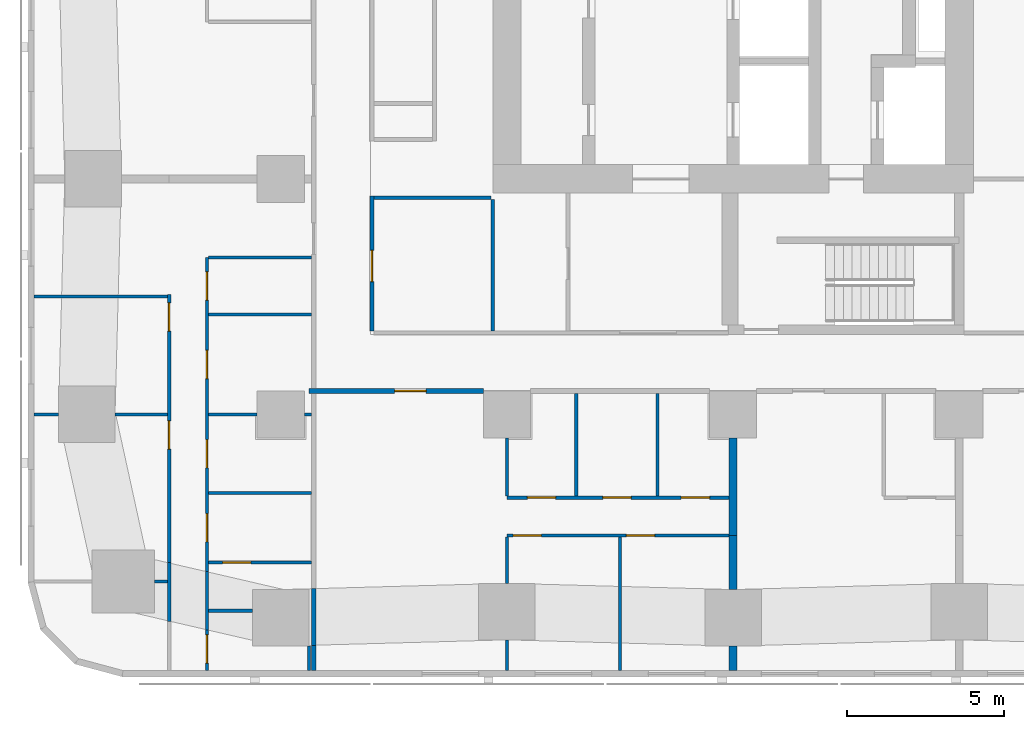
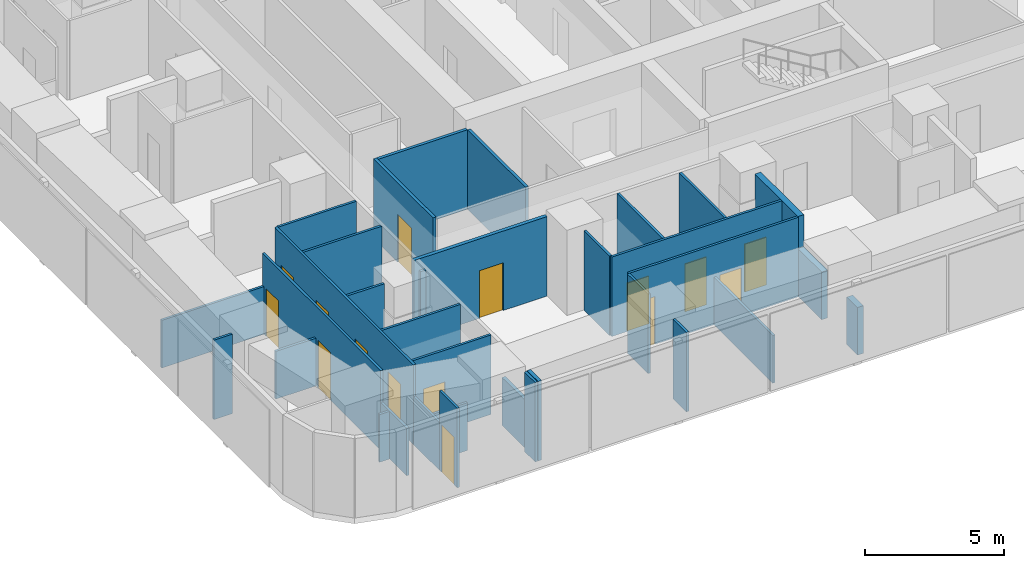
# One storey, part 2 of 15: 34 walls, 15 doors, 15 openings.
"""IFC4 building model written with IfcOpenShell, lengths in metres."""

from ifc_helpers import new_model, si_unit, direction, frame, frame_2d, origin, place, context, subcontext, project, spatial, rectangle, extrude, material, layer, layer_set, type_object, element, fill, save


model = new_model("IFC4")

# Units and contexts
model_context = context("Model", 3, precision=1e-05, world=origin(), true_north=direction((0.0, 1.0)))
body_context = subcontext(model_context, "Body", "Model", "MODEL_VIEW")
ifc_project = project(units=[si_unit("LENGTHUNIT", "METRE"), si_unit("AREAUNIT", "SQUARE_METRE"), si_unit("VOLUMEUNIT", "CUBIC_METRE"), si_unit("PLANEANGLEUNIT", "RADIAN"), si_unit("MASSUNIT", "GRAM", prefix="KILO")], contexts=[model_context])

# Site, building, storey
site_placement = place(None, origin())
site = spatial("IfcSite", under=ifc_project, at=site_placement, CompositionType="ELEMENT")
building_placement = place(site_placement, origin())
building = spatial("IfcBuilding", under=site, at=building_placement, Name="Sheger Commons Tower", CompositionType="ELEMENT")
storey_placement = place(building_placement, frame((0.0, 0.0, 169.550048828125)))
storey = spatial("IfcBuildingStorey", under=building, at=storey_placement, Name="L43", CompositionType="ELEMENT", Elevation=169.550048828125)

# Walls
ifc_material_1 = material(Name="Hollow concrete block masonry, skimmed both sides", Category="masonry")
ifc_layer_1 = layer(ifc_material_1, 0.14990234375)
ifc_layer_set_1 = layer_set([ifc_layer_1], Name="CORRIDOR WALL 150")
wall_type_1 = type_object("IfcWallType", Name="CORRIDOR WALL 150", PredefinedType="SOLIDWALL", material=ifc_layer_set_1)
wall_1_placement = place(storey_placement, frame((8.25, -0.64990234375, 0.0), z_axis=(0.0, 0.0, 1.0), x_axis=(0.0, 1.0, 0.0)))
element("IfcWall", 1, at=wall_1_placement, inside=storey, type_object=wall_type_1, Name="Corridor wall L43", PredefinedType="SOLIDWALL", context=body_context, shape_type="SweptSolid", body=[
    extrude(rectangle(XDim=0.802001953125, YDim=0.14990234375, at=frame_2d((0.40087890625, 0.0))), origin(), (0.0, 0.0, 1.0), 3.5),
])
wall_2_placement = place(storey_placement, frame((8.25, 0.152099609375, 0.0), z_axis=(0.0, 0.0, 1.0), x_axis=(0.0, 1.0, 0.0)))
element("IfcWall", 2, at=wall_2_placement, inside=storey, type_object=wall_type_1, Name="Corridor wall L43", PredefinedType="SOLIDWALL", context=body_context, shape_type="SweptSolid", body=[
    extrude(rectangle(XDim=1.804931640625, YDim=0.14990234375, at=frame_2d((0.90234375, 0.0))), origin(), (0.0, 0.0, 1.0), 2.099853515625),
])

# Wall, opening, door
wall_3_placement = place(storey_placement, frame((13.64892578125, 8.25, 0.0), z_axis=(0.0, 0.0, 1.0), x_axis=(-1.0, 0.0, 0.0)))
wall_3 = element("IfcWall", 3, at=wall_3_placement, inside=storey, type_object=wall_type_1, Name="Corridor wall L43", PredefinedType="SOLIDWALL", context=body_context, shape_type="SweptSolid", body=[
    extrude(rectangle(XDim=5.548828125, YDim=0.14990234375, at=frame_2d((2.7744140625, 0.0))), origin(), (0.0, 0.0, 1.0), 3.5),
])
opening_1_placement = place(wall_3_placement, frame((1.823974609375, 0.0, 0.0)))
opening_1 = element("IfcOpeningElement", 4, at=opening_1_placement, cuts=wall_3, Name="Opening D1", PredefinedType="OPENING", context=body_context, shape_type="SweptSolid", body=[
    extrude(rectangle(XDim=1.0, YDim=2.10009765625, at=frame_2d((0.5, 1.050048828125))), frame((0.0, 0.0849609375, 0.0), z_axis=(0.0, -1.0, 0.0), x_axis=(1.0, 0.0, 0.0)), (0.0, 0.0, 1.0), 0.169921875),
])
ifc_material_2 = material(Name="Steel door set, fire rated", Category="steel")
door_type_1 = type_object("IfcDoorType", Name="FLAT ENTRANCE DOOR 1000x2100", OperationType="NOTDEFINED", PredefinedType="DOOR", material=ifc_material_2)
door_1_placement = place(opening_1_placement, origin())
door_1 = element("IfcDoor", 5, at=door_1_placement, inside=storey, type_object=door_type_1, Name="Flat entrance door", OperationType="SINGLE_SWING_RIGHT", OverallHeight=2.10009765625, OverallWidth=1.0, PredefinedType="DOOR", context=body_context, shape_type="SweptSolid", body=[
    extrude(rectangle(XDim=1.0, YDim=2.10009765625, at=frame_2d((0.5, 1.050048828125))), frame((0.0, 0.02490234375, 0.0), z_axis=(0.0, -1.0, 0.0), x_axis=(1.0, 0.0, 0.0)), (0.0, 0.0, 1.0), 0.050048828125),
])
fill(opening_1, door_1)

# Walls
ifc_material_3 = material(Name="Dense concrete block masonry, plastered both sides (separating wall between flats)", Category="masonry")
ifc_layer_2 = layer(ifc_material_3, 0.25)
ifc_layer_set_2 = layer_set([ifc_layer_2], Name="DEMISING WALL 250")
wall_type_2 = type_object("IfcWallType", Name="DEMISING WALL 250", PredefinedType="SOLIDWALL", material=ifc_layer_set_2)
wall_4_placement = place(storey_placement, frame((21.60009765625, -0.64990234375, 0.0), z_axis=(0.0, 0.0, 1.0), x_axis=(0.0, 1.0, 0.0)))
element("IfcWall", 6, at=wall_4_placement, inside=storey, type_object=wall_type_2, Name="Demising wall L43", PredefinedType="SOLIDWALL", context=body_context, shape_type="SweptSolid", body=[
    extrude(rectangle(XDim=0.77392578125, YDim=0.25, at=frame_2d((0.386962890625, 0.0))), origin(), (0.0, 0.0, 1.0), 2.099853515625),
])
wall_5_placement = place(storey_placement, frame((21.60009765625, 1.926025390625, 0.0), z_axis=(0.0, 0.0, 1.0), x_axis=(0.0, 1.0, 0.0)))
element("IfcWall", 7, at=wall_5_placement, inside=storey, type_object=wall_type_2, Name="Demising wall L43", PredefinedType="SOLIDWALL", context=body_context, shape_type="SweptSolid", body=[
    extrude(rectangle(XDim=1.723876953125, YDim=0.25, at=frame_2d((0.86181640625, 0.0))), origin(), (0.0, 0.0, 1.0), 2.099853515625),
])
wall_6_placement = place(storey_placement, frame((21.60009765625, 3.64990234375, 0.0), z_axis=(0.0, 0.0, 1.0), x_axis=(0.0, 1.0, 0.0)))
element("IfcWall", 8, at=wall_6_placement, inside=storey, type_object=wall_type_2, Name="Demising wall L43", PredefinedType="SOLIDWALL", context=body_context, shape_type="SweptSolid", body=[
    extrude(rectangle(XDim=3.09912109375, YDim=0.25, at=frame_2d((1.549560546875, 0.0))), origin(), (0.0, 0.0, 1.0), 3.5),
])
ifc_material_4 = material(Name="Gypsum board on steel studs", Category="steel")
ifc_layer_3 = layer(ifc_material_4, 0.10009765625)
ifc_layer_set_3 = layer_set([ifc_layer_3], Name="PARTITION 100")
wall_type_3 = type_object("IfcWallType", Name="PARTITION 100", PredefinedType="PARTITIONING", material=ifc_layer_set_3)
wall_7_placement = place(storey_placement, frame((8.10009765625, 0.1240234375, 0.0), z_axis=(0.0, 0.0, 1.0), x_axis=(0.0, -1.0, 0.0)))
element("IfcWall", 9, at=wall_7_placement, inside=storey, type_object=wall_type_3, Name="Partition L43", PredefinedType="PARTITIONING", context=body_context, shape_type="SweptSolid", body=[
    extrude(rectangle(XDim=0.77392578125, YDim=0.10009765625, at=frame_2d((0.386962890625, 0.0))), origin(), (0.0, 0.0, 1.0), 3.5),
])
wall_8_placement = place(storey_placement, frame((3.64990234375, 0.912109375, 0.0), z_axis=(0.0, 0.0, 1.0), x_axis=(0.0, 1.0, 0.0)))
element("IfcWall", 10, at=wall_8_placement, inside=storey, type_object=wall_type_3, Name="Partition L43", PredefinedType="PARTITIONING", context=body_context, shape_type="SweptSolid", body=[
    extrude(rectangle(XDim=1.869873046875, YDim=0.10009765625, at=frame_2d((0.93505859375, 0.0))), origin(), (0.0, 0.0, 1.0), 2.099853515625),
])

# Wall, openings, doors
wall_9_placement = place(storey_placement, frame((3.64990234375, 2.781982421875, 0.0), z_axis=(0.0, 0.0, 1.0), x_axis=(0.0, 1.0, 0.0)))
wall_9 = element("IfcWall", 11, at=wall_9_placement, inside=storey, type_object=wall_type_3, Name="Partition L43", PredefinedType="PARTITIONING", context=body_context, shape_type="SweptSolid", body=[
    extrude(rectangle(XDim=8.541015625, YDim=0.10009765625, at=frame_2d((4.2705078125, 0.0))), origin(), (0.0, 0.0, 1.0), 3.5),
])
opening_2_placement = place(wall_9_placement, frame((7.367919921875, 0.0, 0.0)))
opening_2 = element("IfcOpeningElement", 12, at=opening_2_placement, cuts=wall_9, Name="Opening D2", PredefinedType="OPENING", context=body_context, shape_type="SweptSolid", body=[
    extrude(rectangle(XDim=0.89990234375, YDim=2.10009765625, at=frame_2d((0.449951171875, 1.050048828125))), frame((0.0, 0.06005859375, 0.0), z_axis=(0.0, -1.0, 0.0), x_axis=(1.0, 0.0, 0.0)), (0.0, 0.0, 1.0), 0.1201171875),
])
opening_3_placement = place(wall_9_placement, frame((3.617919921875, 0.0, 0.0)))
opening_3 = element("IfcOpeningElement", 13, at=opening_3_placement, cuts=wall_9, Name="Opening D2", PredefinedType="OPENING", context=body_context, shape_type="SweptSolid", body=[
    extrude(rectangle(XDim=0.89990234375, YDim=2.10009765625, at=frame_2d((0.449951171875, 1.050048828125))), frame((0.0, 0.06005859375, 0.0), z_axis=(0.0, -1.0, 0.0), x_axis=(1.0, 0.0, 0.0)), (0.0, 0.0, 1.0), 0.1201171875),
])
ifc_material_5 = material(Name="Timber door set", Category="wood")
door_type_2 = type_object("IfcDoorType", Name="INTERNAL DOOR 900x2100", OperationType="NOTDEFINED", PredefinedType="DOOR", material=ifc_material_5)
door_2_placement = place(opening_2_placement, origin())
door_2 = element("IfcDoor", 14, at=door_2_placement, inside=storey, type_object=door_type_2, Name="Main bedroom door", OperationType="SINGLE_SWING_RIGHT", OverallHeight=2.10009765625, OverallWidth=0.89990234375, PredefinedType="DOOR", context=body_context, shape_type="SweptSolid", body=[
    extrude(rectangle(XDim=0.89990234375, YDim=2.10009765625, at=frame_2d((0.449951171875, 1.050048828125))), frame((0.0, 0.02490234375, 0.0), z_axis=(0.0, -1.0, 0.0), x_axis=(1.0, 0.0, 0.0)), (0.0, 0.0, 1.0), 0.050048828125),
])
fill(opening_2, door_2)
door_3_placement = place(opening_3_placement, origin())
door_3 = element("IfcDoor", 15, at=door_3_placement, inside=storey, type_object=door_type_2, Name="Bedroom 2 door", OperationType="SINGLE_SWING_RIGHT", OverallHeight=2.10009765625, OverallWidth=0.89990234375, PredefinedType="DOOR", context=body_context, shape_type="SweptSolid", body=[
    extrude(rectangle(XDim=0.89990234375, YDim=2.10009765625, at=frame_2d((0.449951171875, 1.050048828125))), frame((0.0, 0.02490234375, 0.0), z_axis=(0.0, -1.0, 0.0), x_axis=(1.0, 0.0, 0.0)), (0.0, 0.0, 1.0), 0.050048828125),
])
fill(opening_3, door_3)

# Wall, opening, door
wall_10_placement = place(storey_placement, frame((4.85009765625, -0.64990234375, 0.0), z_axis=(0.0, 0.0, 1.0), x_axis=(0.0, 1.0, 0.0)))
wall_10 = element("IfcWall", 16, at=wall_10_placement, inside=storey, type_object=wall_type_3, Name="Partition L43", PredefinedType="PARTITIONING", context=body_context, shape_type="SweptSolid", body=[
    extrude(rectangle(XDim=1.283935546875, YDim=0.10009765625, at=frame_2d((0.64208984375, 0.0))), origin(), (0.0, 0.0, 1.0), 3.5),
])
opening_4_placement = place(wall_10_placement, frame((0.23388671875, 0.0, 0.0)))
opening_4 = element("IfcOpeningElement", 17, at=opening_4_placement, cuts=wall_10, Name="Opening D2", PredefinedType="OPENING", context=body_context, shape_type="SweptSolid", body=[
    extrude(rectangle(XDim=0.89990234375, YDim=2.10009765625, at=frame_2d((0.449951171875, 1.050048828125))), frame((0.0, 0.06005859375, 0.0), z_axis=(0.0, -1.0, 0.0), x_axis=(1.0, 0.0, 0.0)), (0.0, 0.0, 1.0), 0.1201171875),
])
door_4_placement = place(opening_4_placement, origin())
door_4 = element("IfcDoor", 18, at=door_4_placement, inside=storey, type_object=door_type_2, Name="Store and laundry door", OperationType="SINGLE_SWING_LEFT", OverallHeight=2.10009765625, OverallWidth=0.89990234375, PredefinedType="DOOR", context=body_context, shape_type="SweptSolid", body=[
    extrude(rectangle(XDim=0.89990234375, YDim=2.10009765625, at=frame_2d((0.449951171875, 1.050048828125))), frame((0.0, 0.02490234375, 0.0), z_axis=(0.0, -1.0, 0.0), x_axis=(1.0, 0.0, 0.0)), (0.0, 0.0, 1.0), 0.050048828125),
])
fill(opening_4, door_4)

# Wall
wall_11_placement = place(storey_placement, frame((4.85009765625, 0.634033203125, 0.0), z_axis=(0.0, 0.0, 1.0), x_axis=(0.0, 1.0, 0.0)))
element("IfcWall", 19, at=wall_11_placement, inside=storey, type_object=wall_type_3, Name="Partition L43", PredefinedType="PARTITIONING", context=body_context, shape_type="SweptSolid", body=[
    extrude(rectangle(XDim=1.870849609375, YDim=0.10009765625, at=frame_2d((0.935546875, 0.0))), origin(), (0.0, 0.0, 1.0), 2.099853515625),
])

# Wall, openings, doors
wall_12_placement = place(storey_placement, frame((4.85009765625, 2.5048828125, 0.0), z_axis=(0.0, 0.0, 1.0), x_axis=(0.0, 1.0, 0.0)))
wall_12 = element("IfcWall", 20, at=wall_12_placement, inside=storey, type_object=wall_type_3, Name="Partition L43", PredefinedType="PARTITIONING", context=body_context, shape_type="SweptSolid", body=[
    extrude(rectangle(XDim=9.994140625, YDim=0.10009765625, at=frame_2d((4.9970703125, 0.0))), origin(), (0.0, 0.0, 1.0), 3.5),
])
opening_5_placement = place(wall_12_placement, frame((8.634033203125, 0.0, 0.0)))
opening_5 = element("IfcOpeningElement", 21, at=opening_5_placement, cuts=wall_12, Name="Opening D2", PredefinedType="OPENING", context=body_context, shape_type="SweptSolid", body=[
    extrude(rectangle(XDim=0.89990234375, YDim=2.10009765625, at=frame_2d((0.449951171875, 1.050048828125))), frame((0.0, 0.06005859375, 0.0), z_axis=(0.0, -1.0, 0.0), x_axis=(1.0, 0.0, 0.0)), (0.0, 0.0, 1.0), 0.1201171875),
])
opening_6_placement = place(wall_12_placement, frame((3.2939453125, 0.0, 0.0)))
opening_6 = element("IfcOpeningElement", 22, at=opening_6_placement, cuts=wall_12, Name="Opening D2", PredefinedType="OPENING", context=body_context, shape_type="SweptSolid", body=[
    extrude(rectangle(XDim=0.89990234375, YDim=2.10009765625, at=frame_2d((0.449951171875, 1.050048828125))), frame((0.0, 0.06005859375, 0.0), z_axis=(0.0, -1.0, 0.0), x_axis=(1.0, 0.0, 0.0)), (0.0, 0.0, 1.0), 0.1201171875),
])
opening_7_placement = place(wall_12_placement, frame((0.93896484375, 0.0, 0.0)))
opening_7 = element("IfcOpeningElement", 23, at=opening_7_placement, cuts=wall_12, Name="Opening D2", PredefinedType="OPENING", context=body_context, shape_type="SweptSolid", body=[
    extrude(rectangle(XDim=0.89990234375, YDim=2.10009765625, at=frame_2d((0.449951171875, 1.050048828125))), frame((0.0, 0.06005859375, 0.0), z_axis=(0.0, -1.0, 0.0), x_axis=(1.0, 0.0, 0.0)), (0.0, 0.0, 1.0), 0.1201171875),
])
opening_8_placement = place(wall_12_placement, frame((6.135009765625, 0.0, 0.0)))
opening_8 = element("IfcOpeningElement", 24, at=opening_8_placement, cuts=wall_12, Name="Opening D2", PredefinedType="OPENING", context=body_context, shape_type="SweptSolid", body=[
    extrude(rectangle(XDim=0.89990234375, YDim=2.10009765625, at=frame_2d((0.449951171875, 1.050048828125))), frame((0.0, 0.06005859375, 0.0), z_axis=(0.0, -1.0, 0.0), x_axis=(1.0, 0.0, 0.0)), (0.0, 0.0, 1.0), 0.1201171875),
])
door_5_placement = place(opening_5_placement, origin())
door_5 = element("IfcDoor", 25, at=door_5_placement, inside=storey, type_object=door_type_2, Name="Laundry room door", OperationType="SINGLE_SWING_LEFT", OverallHeight=2.10009765625, OverallWidth=0.89990234375, PredefinedType="DOOR", context=body_context, shape_type="SweptSolid", body=[
    extrude(rectangle(XDim=0.89990234375, YDim=2.10009765625, at=frame_2d((0.449951171875, 1.050048828125))), frame((0.0, 0.02490234375, 0.0), z_axis=(0.0, -1.0, 0.0), x_axis=(1.0, 0.0, 0.0)), (0.0, 0.0, 1.0), 0.050048828125),
])
fill(opening_5, door_5)
door_6_placement = place(opening_6_placement, origin())
door_6 = element("IfcDoor", 26, at=door_6_placement, inside=storey, type_object=door_type_2, Name="Laundry room door", OperationType="SINGLE_SWING_RIGHT", OverallHeight=2.10009765625, OverallWidth=0.89990234375, PredefinedType="DOOR", context=body_context, shape_type="SweptSolid", body=[
    extrude(rectangle(XDim=0.89990234375, YDim=2.10009765625, at=frame_2d((0.449951171875, 1.050048828125))), frame((0.0, 0.02490234375, 0.0), z_axis=(0.0, -1.0, 0.0), x_axis=(1.0, 0.0, 0.0)), (0.0, 0.0, 1.0), 0.050048828125),
])
fill(opening_6, door_6)
door_7_placement = place(opening_7_placement, origin())
door_7 = element("IfcDoor", 27, at=door_7_placement, inside=storey, type_object=door_type_2, Name="Bathroom door", OperationType="SINGLE_SWING_RIGHT", OverallHeight=2.10009765625, OverallWidth=0.89990234375, PredefinedType="DOOR", context=body_context, shape_type="SweptSolid", body=[
    extrude(rectangle(XDim=0.89990234375, YDim=2.10009765625, at=frame_2d((0.449951171875, 1.050048828125))), frame((0.0, 0.02490234375, 0.0), z_axis=(0.0, -1.0, 0.0), x_axis=(1.0, 0.0, 0.0)), (0.0, 0.0, 1.0), 0.050048828125),
])
fill(opening_7, door_7)
door_8_placement = place(opening_8_placement, origin())
door_8 = element("IfcDoor", 28, at=door_8_placement, inside=storey, type_object=door_type_2, Name="Store door", OperationType="SINGLE_SWING_LEFT", OverallHeight=2.10009765625, OverallWidth=0.89990234375, PredefinedType="DOOR", context=body_context, shape_type="SweptSolid", body=[
    extrude(rectangle(XDim=0.89990234375, YDim=2.10009765625, at=frame_2d((0.449951171875, 1.050048828125))), frame((0.0, 0.02490234375, 0.0), z_axis=(0.0, -1.0, 0.0), x_axis=(1.0, 0.0, 0.0)), (0.0, 0.0, 1.0), 0.050048828125),
])
fill(opening_8, door_8)

# Walls
wall_13_placement = place(storey_placement, frame((3.18701171875, 2.18603515625, 0.0), z_axis=(0.0, 0.0, 1.0), x_axis=(1.0, 0.0, 0.0)))
element("IfcWall", 29, at=wall_13_placement, inside=storey, type_object=wall_type_3, Name="Partition L43", PredefinedType="PARTITIONING", context=body_context, shape_type="SweptSolid", body=[
    extrude(rectangle(XDim=0.4130859375, YDim=0.10009765625, at=frame_2d((0.20654296875, 0.0))), origin(), (0.0, 0.0, 1.0), 2.099853515625),
])
wall_14_placement = place(storey_placement, frame((-0.64990234375, 7.5, 0.0), z_axis=(0.0, 0.0, 1.0), x_axis=(1.0, 0.0, 0.0)))
element("IfcWall", 30, at=wall_14_placement, inside=storey, type_object=wall_type_3, Name="Partition L43", PredefinedType="PARTITIONING", context=body_context, shape_type="SweptSolid", body=[
    extrude(rectangle(XDim=0.77392578125, YDim=0.10009765625, at=frame_2d((0.386962890625, 0.0))), origin(), (0.0, 0.0, 1.0), 3.5),
])
wall_15_placement = place(storey_placement, frame((1.926025390625, 7.5, 0.0), z_axis=(0.0, 0.0, 1.0), x_axis=(1.0, 0.0, 0.0)))
element("IfcWall", 31, at=wall_15_placement, inside=storey, type_object=wall_type_3, Name="Partition L43", PredefinedType="PARTITIONING", context=body_context, shape_type="SweptSolid", body=[
    extrude(rectangle(XDim=1.674072265625, YDim=0.10009765625, at=frame_2d((0.8369140625, 0.0))), origin(), (0.0, 0.0, 1.0), 2.099853515625),
])
wall_16_placement = place(storey_placement, frame((-0.64990234375, 11.25, 0.0), z_axis=(0.0, 0.0, 1.0), x_axis=(1.0, 0.0, 0.0)))
element("IfcWall", 32, at=wall_16_placement, inside=storey, type_object=wall_type_3, Name="Partition L43", PredefinedType="PARTITIONING", context=body_context, shape_type="SweptSolid", body=[
    extrude(rectangle(XDim=4.25, YDim=0.10009765625, at=frame_2d((2.125, 0.0))), origin(), (0.0, 0.0, 1.0), 2.099853515625),
])
wall_17_placement = place(storey_placement, frame((4.89990234375, 4.9990234375, 0.0), z_axis=(0.0, 0.0, 1.0), x_axis=(1.0, 0.0, 0.0)))
element("IfcWall", 33, at=wall_17_placement, inside=storey, type_object=wall_type_3, Name="Partition L43", PredefinedType="PARTITIONING", context=body_context, shape_type="SweptSolid", body=[
    extrude(rectangle(XDim=3.275146484375, YDim=0.10009765625, at=frame_2d((1.6376953125, 0.0))), origin(), (0.0, 0.0, 1.0), 3.5),
])
wall_18_placement = place(storey_placement, frame((4.89990234375, 7.5, 0.0), z_axis=(0.0, 0.0, 1.0), x_axis=(1.0, 0.0, 0.0)))
element("IfcWall", 34, at=wall_18_placement, inside=storey, type_object=wall_type_3, Name="Partition L43", PredefinedType="PARTITIONING", context=body_context, shape_type="SweptSolid", body=[
    extrude(rectangle(XDim=1.549072265625, YDim=0.10009765625, at=frame_2d((0.7744140625, 0.0))), origin(), (0.0, 0.0, 1.0), 3.5),
])
wall_19_placement = place(storey_placement, frame((7.950927734375, 7.5, 0.0), z_axis=(0.0, 0.0, 1.0), x_axis=(1.0, 0.0, 0.0)))
element("IfcWall", 35, at=wall_19_placement, inside=storey, type_object=wall_type_3, Name="Partition L43", PredefinedType="PARTITIONING", context=body_context, shape_type="SweptSolid", body=[
    extrude(rectangle(XDim=0.22412109375, YDim=0.10009765625, at=frame_2d((0.112060546875, 0.0))), origin(), (0.0, 0.0, 1.0), 3.5),
])
wall_20_placement = place(storey_placement, frame((4.89990234375, 12.4990234375, 0.0), z_axis=(0.0, 0.0, 1.0), x_axis=(1.0, 0.0, 0.0)))
element("IfcWall", 36, at=wall_20_placement, inside=storey, type_object=wall_type_3, Name="Partition L43", PredefinedType="PARTITIONING", context=body_context, shape_type="SweptSolid", body=[
    extrude(rectangle(XDim=3.275146484375, YDim=0.10009765625, at=frame_2d((1.6376953125, 0.0))), origin(), (0.0, 0.0, 1.0), 3.5),
])
wall_21_placement = place(storey_placement, frame((4.89990234375, 1.2490234375, 0.0), z_axis=(0.0, 0.0, 1.0), x_axis=(1.0, 0.0, 0.0)))
element("IfcWall", 37, at=wall_21_placement, inside=storey, type_object=wall_type_3, Name="Partition L43", PredefinedType="PARTITIONING", context=body_context, shape_type="SweptSolid", body=[
    extrude(rectangle(XDim=1.399169921875, YDim=0.10009765625, at=frame_2d((0.69970703125, 0.0))), origin(), (0.0, 0.0, 1.0), 2.099853515625),
])
wall_22_placement = place(storey_placement, frame((4.89990234375, 10.678955078125, 0.0), z_axis=(0.0, 0.0, 1.0), x_axis=(1.0, 0.0, 0.0)))
element("IfcWall", 38, at=wall_22_placement, inside=storey, type_object=wall_type_3, Name="Partition L43", PredefinedType="PARTITIONING", context=body_context, shape_type="SweptSolid", body=[
    extrude(rectangle(XDim=3.275146484375, YDim=0.10009765625, at=frame_2d((1.6376953125, 0.0))), origin(), (0.0, 0.0, 1.0), 3.5),
])

# Wall, opening, door
wall_23_placement = place(storey_placement, frame((4.89990234375, 2.7890625, 0.0), z_axis=(0.0, 0.0, 1.0), x_axis=(1.0, 0.0, 0.0)))
wall_23 = element("IfcWall", 39, at=wall_23_placement, inside=storey, type_object=wall_type_3, Name="Partition L43", PredefinedType="PARTITIONING", context=body_context, shape_type="SweptSolid", body=[
    extrude(rectangle(XDim=3.275146484375, YDim=0.10009765625, at=frame_2d((1.6376953125, 0.0))), origin(), (0.0, 0.0, 1.0), 3.5),
])
opening_9_placement = place(wall_23_placement, frame((0.449951171875, 0.0, 0.0)))
opening_9 = element("IfcOpeningElement", 40, at=opening_9_placement, cuts=wall_23, Name="Opening D2", PredefinedType="OPENING", context=body_context, shape_type="SweptSolid", body=[
    extrude(rectangle(XDim=0.89990234375, YDim=2.10009765625, at=frame_2d((0.449951171875, 1.050048828125))), frame((0.0, 0.06005859375, 0.0), z_axis=(0.0, -1.0, 0.0), x_axis=(1.0, 0.0, 0.0)), (0.0, 0.0, 1.0), 0.1201171875),
])
door_9_placement = place(opening_9_placement, origin())
door_9 = element("IfcDoor", 41, at=door_9_placement, inside=storey, type_object=door_type_2, Name="Linen store door", OperationType="SINGLE_SWING_RIGHT", OverallHeight=2.10009765625, OverallWidth=0.89990234375, PredefinedType="DOOR", context=body_context, shape_type="SweptSolid", body=[
    extrude(rectangle(XDim=0.89990234375, YDim=2.10009765625, at=frame_2d((0.449951171875, 1.050048828125))), frame((0.0, 0.02490234375, 0.0), z_axis=(0.0, -1.0, 0.0), x_axis=(1.0, 0.0, 0.0)), (0.0, 0.0, 1.0), 0.050048828125),
])
fill(opening_9, door_9)

# Wall, openings, doors
wall_24_placement = place(storey_placement, frame((21.47509765625, 3.64990234375, 0.0), z_axis=(0.0, 0.0, 1.0), x_axis=(-1.0, 0.0, 0.0)))
wall_24 = element("IfcWall", 42, at=wall_24_placement, inside=storey, type_object=wall_type_3, Name="Partition L43", PredefinedType="PARTITIONING", context=body_context, shape_type="SweptSolid", body=[
    extrude(rectangle(XDim=7.0751953125, YDim=0.10009765625, at=frame_2d((3.53759765625, 0.0))), origin(), (0.0, 0.0, 1.0), 3.5),
])
opening_10_placement = place(wall_24_placement, frame((5.97509765625, 0.0, 0.0)))
opening_10 = element("IfcOpeningElement", 43, at=opening_10_placement, cuts=wall_24, Name="Opening D2", PredefinedType="OPENING", context=body_context, shape_type="SweptSolid", body=[
    extrude(rectangle(XDim=0.89990234375, YDim=2.10009765625, at=frame_2d((0.449951171875, 1.050048828125))), frame((0.0, 0.06005859375, 0.0), z_axis=(0.0, -1.0, 0.0), x_axis=(1.0, 0.0, 0.0)), (0.0, 0.0, 1.0), 0.1201171875),
])
opening_11_placement = place(wall_24_placement, frame((2.375, 0.0, 0.0)))
opening_11 = element("IfcOpeningElement", 44, at=opening_11_placement, cuts=wall_24, Name="Opening D2", PredefinedType="OPENING", context=body_context, shape_type="SweptSolid", body=[
    extrude(rectangle(XDim=0.89990234375, YDim=2.10009765625, at=frame_2d((0.449951171875, 1.050048828125))), frame((0.0, 0.06005859375, 0.0), z_axis=(0.0, -1.0, 0.0), x_axis=(1.0, 0.0, 0.0)), (0.0, 0.0, 1.0), 0.1201171875),
])
door_10_placement = place(opening_10_placement, origin())
door_10 = element("IfcDoor", 45, at=door_10_placement, inside=storey, type_object=door_type_2, Name="Main bedroom door", OperationType="SINGLE_SWING_RIGHT", OverallHeight=2.10009765625, OverallWidth=0.89990234375, PredefinedType="DOOR", context=body_context, shape_type="SweptSolid", body=[
    extrude(rectangle(XDim=0.89990234375, YDim=2.10009765625, at=frame_2d((0.449951171875, 1.050048828125))), frame((0.0, 0.02490234375, 0.0), z_axis=(0.0, -1.0, 0.0), x_axis=(1.0, 0.0, 0.0)), (0.0, 0.0, 1.0), 0.050048828125),
])
fill(opening_10, door_10)
door_11_placement = place(opening_11_placement, origin())
door_11 = element("IfcDoor", 46, at=door_11_placement, inside=storey, type_object=door_type_2, Name="Bedroom 2 door", OperationType="SINGLE_SWING_RIGHT", OverallHeight=2.10009765625, OverallWidth=0.89990234375, PredefinedType="DOOR", context=body_context, shape_type="SweptSolid", body=[
    extrude(rectangle(XDim=0.89990234375, YDim=2.10009765625, at=frame_2d((0.449951171875, 1.050048828125))), frame((0.0, 0.02490234375, 0.0), z_axis=(0.0, -1.0, 0.0), x_axis=(1.0, 0.0, 0.0)), (0.0, 0.0, 1.0), 0.050048828125),
])
fill(opening_11, door_11)

wall_25_placement = place(storey_placement, frame((21.47509765625, 4.85009765625, 0.0), z_axis=(0.0, 0.0, 1.0), x_axis=(-1.0, 0.0, 0.0)))
wall_25 = element("IfcWall", 47, at=wall_25_placement, inside=storey, type_object=wall_type_3, Name="Partition L43", PredefinedType="PARTITIONING", context=body_context, shape_type="SweptSolid", body=[
    extrude(rectangle(XDim=7.0751953125, YDim=0.10009765625, at=frame_2d((3.53759765625, 0.0))), origin(), (0.0, 0.0, 1.0), 3.5),
])
opening_12_placement = place(wall_25_placement, frame((5.52001953125, 0.0, 0.0)))
opening_12 = element("IfcOpeningElement", 48, at=opening_12_placement, cuts=wall_25, Name="Opening D2", PredefinedType="OPENING", context=body_context, shape_type="SweptSolid", body=[
    extrude(rectangle(XDim=0.89990234375, YDim=2.10009765625, at=frame_2d((0.449951171875, 1.050048828125))), frame((0.0, 0.06005859375, 0.0), z_axis=(0.0, -1.0, 0.0), x_axis=(1.0, 0.0, 0.0)), (0.0, 0.0, 1.0), 0.1201171875),
])
opening_13_placement = place(wall_25_placement, frame((0.625, 0.0, 0.0)))
opening_13 = element("IfcOpeningElement", 49, at=opening_13_placement, cuts=wall_25, Name="Opening D2", PredefinedType="OPENING", context=body_context, shape_type="SweptSolid", body=[
    extrude(rectangle(XDim=0.89990234375, YDim=2.10009765625, at=frame_2d((0.449951171875, 1.050048828125))), frame((0.0, 0.06005859375, 0.0), z_axis=(0.0, -1.0, 0.0), x_axis=(1.0, 0.0, 0.0)), (0.0, 0.0, 1.0), 0.1201171875),
])
opening_14_placement = place(wall_25_placement, frame((3.12109375, 0.0, 0.0)))
opening_14 = element("IfcOpeningElement", 50, at=opening_14_placement, cuts=wall_25, Name="Opening D2", PredefinedType="OPENING", context=body_context, shape_type="SweptSolid", body=[
    extrude(rectangle(XDim=0.89990234375, YDim=2.10009765625, at=frame_2d((0.449951171875, 1.050048828125))), frame((0.0, 0.06005859375, 0.0), z_axis=(0.0, -1.0, 0.0), x_axis=(1.0, 0.0, 0.0)), (0.0, 0.0, 1.0), 0.1201171875),
])
door_12_placement = place(opening_12_placement, origin())
door_12 = element("IfcDoor", 51, at=door_12_placement, inside=storey, type_object=door_type_2, Name="Bathroom door", OperationType="SINGLE_SWING_LEFT", OverallHeight=2.10009765625, OverallWidth=0.89990234375, PredefinedType="DOOR", context=body_context, shape_type="SweptSolid", body=[
    extrude(rectangle(XDim=0.89990234375, YDim=2.10009765625, at=frame_2d((0.449951171875, 1.050048828125))), frame((0.0, 0.02490234375, 0.0), z_axis=(0.0, -1.0, 0.0), x_axis=(1.0, 0.0, 0.0)), (0.0, 0.0, 1.0), 0.050048828125),
])
fill(opening_12, door_12)
door_13_placement = place(opening_13_placement, origin())
door_13 = element("IfcDoor", 52, at=door_13_placement, inside=storey, type_object=door_type_2, Name="Laundry room door", OperationType="SINGLE_SWING_RIGHT", OverallHeight=2.10009765625, OverallWidth=0.89990234375, PredefinedType="DOOR", context=body_context, shape_type="SweptSolid", body=[
    extrude(rectangle(XDim=0.89990234375, YDim=2.10009765625, at=frame_2d((0.449951171875, 1.050048828125))), frame((0.0, 0.02490234375, 0.0), z_axis=(0.0, -1.0, 0.0), x_axis=(1.0, 0.0, 0.0)), (0.0, 0.0, 1.0), 0.050048828125),
])
fill(opening_13, door_13)
door_14_placement = place(opening_14_placement, origin())
door_14 = element("IfcDoor", 53, at=door_14_placement, inside=storey, type_object=door_type_2, Name="Store door", OperationType="SINGLE_SWING_LEFT", OverallHeight=2.10009765625, OverallWidth=0.89990234375, PredefinedType="DOOR", context=body_context, shape_type="SweptSolid", body=[
    extrude(rectangle(XDim=0.89990234375, YDim=2.10009765625, at=frame_2d((0.449951171875, 1.050048828125))), frame((0.0, 0.02490234375, 0.0), z_axis=(0.0, -1.0, 0.0), x_axis=(1.0, 0.0, 0.0)), (0.0, 0.0, 1.0), 0.050048828125),
])
fill(opening_14, door_14)

# Walls
wall_26_placement = place(storey_placement, frame((14.39990234375, -0.64990234375, 0.0), z_axis=(0.0, 0.0, 1.0), x_axis=(0.0, 1.0, 0.0)))
element("IfcWall", 54, at=wall_26_placement, inside=storey, type_object=wall_type_3, Name="Partition L43", PredefinedType="PARTITIONING", context=body_context, shape_type="SweptSolid", body=[
    extrude(rectangle(XDim=0.973876953125, YDim=0.10009765625, at=frame_2d((0.48681640625, 0.0))), origin(), (0.0, 0.0, 1.0), 3.5),
])
wall_27_placement = place(storey_placement, frame((14.39990234375, 2.1259765625, 0.0), z_axis=(0.0, 0.0, 1.0), x_axis=(0.0, 1.0, 0.0)))
element("IfcWall", 55, at=wall_27_placement, inside=storey, type_object=wall_type_3, Name="Partition L43", PredefinedType="PARTITIONING", context=body_context, shape_type="SweptSolid", body=[
    extrude(rectangle(XDim=1.47412109375, YDim=0.10009765625, at=frame_2d((0.737060546875, 0.0))), origin(), (0.0, 0.0, 1.0), 3.5),
])
wall_28_placement = place(storey_placement, frame((18.0, -0.64990234375, 0.0), z_axis=(0.0, 0.0, 1.0), x_axis=(0.0, 1.0, 0.0)))
element("IfcWall", 56, at=wall_28_placement, inside=storey, type_object=wall_type_3, Name="Partition L43", PredefinedType="PARTITIONING", context=body_context, shape_type="SweptSolid", body=[
    extrude(rectangle(XDim=4.25, YDim=0.10009765625, at=frame_2d((2.125, 0.0))), origin(), (0.0, 0.0, 1.0), 2.099853515625),
])
wall_29_placement = place(storey_placement, frame((14.39990234375, 4.89990234375, 0.0), z_axis=(0.0, 0.0, 1.0), x_axis=(0.0, 1.0, 0.0)))
element("IfcWall", 57, at=wall_29_placement, inside=storey, type_object=wall_type_3, Name="Partition L43", PredefinedType="PARTITIONING", context=body_context, shape_type="SweptSolid", body=[
    extrude(rectangle(XDim=1.84912109375, YDim=0.10009765625, at=frame_2d((0.924560546875, 0.0))), origin(), (0.0, 0.0, 1.0), 3.5),
])
for number, where, z_axis, x_axis, name in (
    (58, (19.198974609375, 4.89990234375, 0.0), (0.0, 0.0, 1.0), (0.0, 1.0, 0.0), "Partition L43"),
    (59, (16.610107421875, 4.89990234375, 0.0), (0.0, 0.0, 1.0), (0.0, 1.0, 0.0), "Partition L43"),
):
    element("IfcWall", number, at=place(storey_placement, frame(where, z_axis=z_axis, x_axis=x_axis)), inside=storey, type_object=wall_type_3, Name=name, PredefinedType="PARTITIONING", context=body_context, shape_type="SweptSolid", body=[
        extrude(rectangle(XDim=3.275146484375, YDim=0.10009765625, at=frame_2d((1.6376953125, 0.0))), origin(), (0.0, 0.0, 1.0), 3.5),
    ])

# Wall, opening, door
ifc_material_6 = material(Name="Gypsum board on steel studs, two layers each side, fire rated", Category="steel")
ifc_layer_4 = layer(ifc_material_6, 0.125)
ifc_layer_set_4 = layer_set([ifc_layer_4], Name="SERVICE WALL 125")
wall_type_4 = type_object("IfcWallType", Name="SERVICE WALL 125", PredefinedType="PARTITIONING", material=ifc_layer_set_4)
wall_30_placement = place(storey_placement, frame((10.10009765625, 10.162109375, 0.0), z_axis=(0.0, 0.0, 1.0), x_axis=(0.0, 1.0, 0.0)))
wall_30 = element("IfcWall", 60, at=wall_30_placement, inside=storey, type_object=wall_type_4, Name="Service room wall L43", PredefinedType="PARTITIONING", context=body_context, shape_type="SweptSolid", body=[
    extrude(rectangle(XDim=4.287841796875, YDim=0.125, at=frame_2d((2.14404296875, 0.0))), origin(), (0.0, 0.0, 1.0), 3.5),
])
opening_15_placement = place(wall_30_placement, frame((1.56298828125, 0.0, 0.0)))
opening_15 = element("IfcOpeningElement", 61, at=opening_15_placement, cuts=wall_30, Name="Opening D4", PredefinedType="OPENING", context=body_context, shape_type="SweptSolid", body=[
    extrude(rectangle(XDim=1.0, YDim=2.10009765625, at=frame_2d((0.5, 1.050048828125))), frame((0.0, 0.072509765625, 0.0), z_axis=(0.0, -1.0, 0.0), x_axis=(1.0, 0.0, 0.0)), (0.0, 0.0, 1.0), 0.14501953125),
])
ifc_material_7 = material(Name="Steel door set, fire rated", Category="steel")
door_type_3 = type_object("IfcDoorType", Name="SERVICE DOOR 1000x2100", OperationType="NOTDEFINED", PredefinedType="DOOR", material=ifc_material_7)
door_15_placement = place(opening_15_placement, origin())
door_15 = element("IfcDoor", 62, at=door_15_placement, inside=storey, type_object=door_type_3, Name="Refuse chute room door", OperationType="SINGLE_SWING_RIGHT", OverallHeight=2.10009765625, OverallWidth=1.0, PredefinedType="DOOR", context=body_context, shape_type="SweptSolid", body=[
    extrude(rectangle(XDim=1.0, YDim=2.10009765625, at=frame_2d((0.5, 1.050048828125))), frame((0.0, 0.02490234375, 0.0), z_axis=(0.0, -1.0, 0.0), x_axis=(1.0, 0.0, 0.0)), (0.0, 0.0, 1.0), 0.050048828125),
])
fill(opening_15, door_15)

# Walls
wall_31_placement = place(storey_placement, frame((10.162109375, 14.39990234375, 0.0), z_axis=(0.0, 0.0, 1.0), x_axis=(1.0, 0.0, 0.0)))
element("IfcWall", 63, at=wall_31_placement, inside=storey, type_object=wall_type_4, Name="Service room wall L43", PredefinedType="PARTITIONING", context=body_context, shape_type="SweptSolid", body=[
    extrude(rectangle(XDim=3.725830078125, YDim=0.125, at=frame_2d((1.86279296875, 0.0))), origin(), (0.0, 0.0, 1.0), 3.5),
])
wall_32_placement = place(storey_placement, frame((13.949951171875, 10.1630859375, 0.0), z_axis=(0.0, 0.0, 1.0), x_axis=(0.0, 1.0, 0.0)))
element("IfcWall", 64, at=wall_32_placement, inside=storey, type_object=wall_type_4, Name="Service room wall L43", PredefinedType="PARTITIONING", context=body_context, shape_type="SweptSolid", body=[
    extrude(rectangle(XDim=4.1748046875, YDim=0.125, at=frame_2d((2.08740234375, 0.0))), origin(), (0.0, 0.0, 1.0), 3.5),
])

save(model, "model.ifc")
